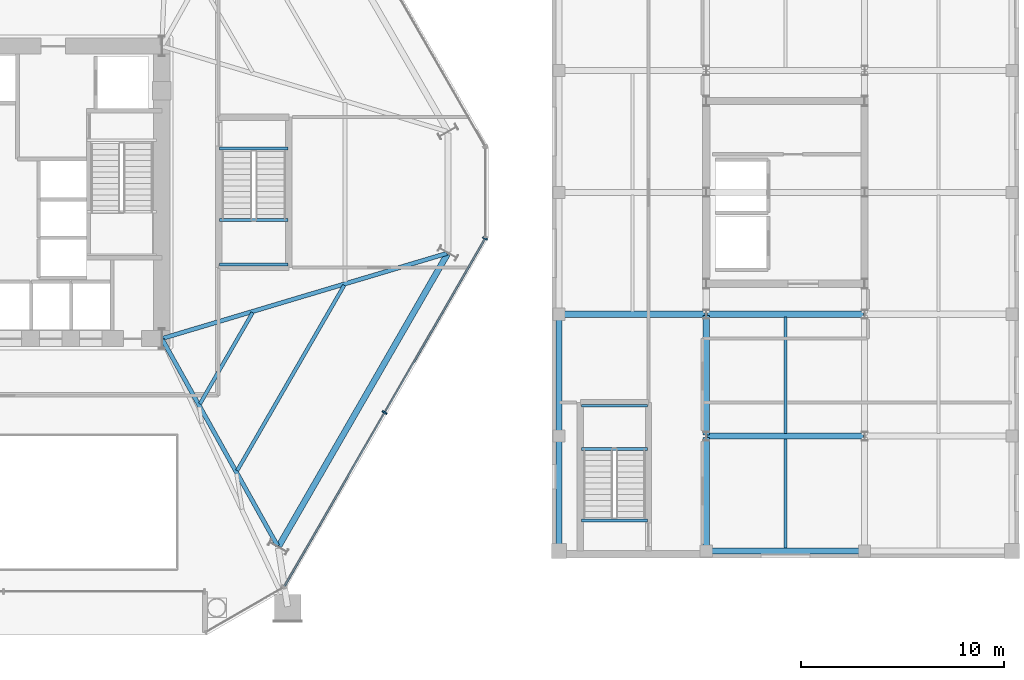
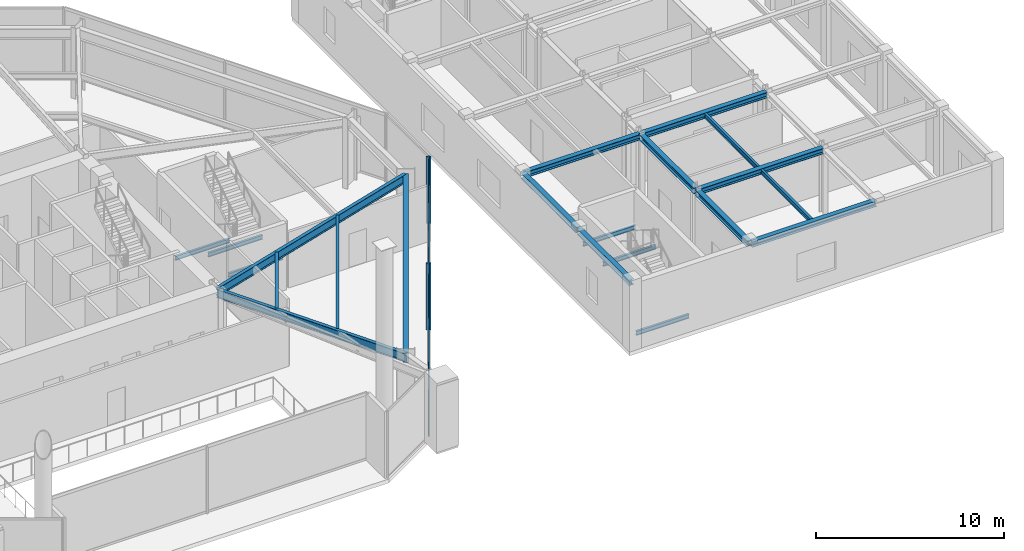
# One storey, part 9 of 22: 21 beams, 6 members, 1 element without a shape of its own.
"""IFC4 building model written with IfcOpenShell, lengths in metres."""

import ifcopenshell
import ifcopenshell.guid

model = None  # the IFC model being written
_history = None  # IfcOwnerHistory: only IFC2X3 demands one
_inside = {}  # id of a spatial element -> (the spatial element, [elements in it])
_under = {}  # id of a project, library or spatial element -> (it, [spatial elements below it])
_declared = {}  # id of a project -> (the project, [libraries it declares])
_typed = {}  # id of a type object -> (the type object, [elements of that type])
_made_of = {}  # id of a material, layer set ... -> (it, [elements and type objects made of it])


def new_model(schema):
    """Start an empty IFC model of exactly this schema.

    Asked for "IFC4X3", IfcOpenShell would pick the latest addendum, in which some entities
    have other attributes; the version numbers below select the first issue.
    IFC2X3 requires an IfcOwnerHistory on every rooted entity: one is made here for all.
    """
    global model, _history
    if schema == "IFC4X3":
        model = ifcopenshell.file(schema_version=(4, 3, 0, 0))
    else:
        model = ifcopenshell.file(schema=schema)
    _inside.clear()
    _under.clear()
    _declared.clear()
    _typed.clear()
    _made_of.clear()
    _history = None
    if model.schema == "IFC2X3":
        org = make("IfcOrganization", Name="unknown")
        user = make(
            "IfcPersonAndOrganization",
            ThePerson=make("IfcPerson", FamilyName="unknown"),
            TheOrganization=org,
        )
        app = make(
            "IfcApplication",
            ApplicationDeveloper=org,
            Version="unknown",
            ApplicationFullName="unknown",
            ApplicationIdentifier="unknown",
        )
        _history = make(
            "IfcOwnerHistory",
            OwningUser=user,
            OwningApplication=app,
            ChangeAction="ADDED",
            CreationDate=0,
        )
    return model


def make(cls, **values):
    """One entity of the class cls with the attributes given. An attribute that is None is left unset."""
    return model.create_entity(
        cls, **{name: value for name, value in values.items() if value is not None}
    )


def rooted(cls, **values):
    """An entity with a GlobalId (a new one), such as an element, a storey or a relation."""
    return make(cls, GlobalId=ifcopenshell.guid.new(), OwnerHistory=_history, **values)


def si_unit(unit_type, name, prefix=None):
    """IfcSIUnit, for example si_unit("LENGTHUNIT", "METRE", prefix="MILLI")."""
    return make("IfcSIUnit", UnitType=unit_type, Prefix=prefix, Name=name)


def assignment(units):
    """IfcUnitAssignment: the units of a project."""
    return None if units is None else make("IfcUnitAssignment", Units=units)


def point(xyz):
    """IfcCartesianPoint."""
    return None if xyz is None else make("IfcCartesianPoint", Coordinates=xyz)


def direction(xyz):
    """IfcDirection."""
    return None if xyz is None else make("IfcDirection", DirectionRatios=xyz)


def frame(location, z_axis=None, x_axis=None):
    """IfcAxis2Placement3D, a coordinate frame: its origin and axes. An axis left out is left unset."""
    return make(
        "IfcAxis2Placement3D",
        Location=point(location),
        Axis=direction(z_axis),
        RefDirection=direction(x_axis),
    )


def frame_2d(location, x_axis=None):
    """IfcAxis2Placement2D, a coordinate frame in the plane: its origin and x axis."""
    return make(
        "IfcAxis2Placement2D", Location=point(location), RefDirection=direction(x_axis)
    )


def origin():
    """The frame at (0, 0, 0) with its axes left unset."""
    return frame((0.0, 0.0, 0.0))


def origin_2d():
    """The frame at (0, 0) in the plane with its x axis left unset."""
    return frame_2d((0.0, 0.0))


def place(relative_to, where):
    """IfcLocalPlacement: puts the frame where relative to a parent placement (None: the world)."""
    return make(
        "IfcLocalPlacement", PlacementRelTo=relative_to, RelativePlacement=where
    )


def context(
    kind, dimensions, precision=None, world=None, true_north=None, identifier=None
):
    """IfcGeometricRepresentationContext, for example the 3D "Model" context."""
    return make(
        "IfcGeometricRepresentationContext",
        ContextIdentifier=identifier,
        ContextType=kind,
        CoordinateSpaceDimension=dimensions,
        Precision=precision,
        WorldCoordinateSystem=world,
        TrueNorth=true_north,
    )


def subcontext(parent, identifier, kind, view, scale=None):
    """IfcGeometricRepresentationSubContext, for example "Body" below "Model"."""
    return make(
        "IfcGeometricRepresentationSubContext",
        ContextIdentifier=identifier,
        ContextType=kind,
        ParentContext=parent,
        TargetScale=scale,
        TargetView=view,
    )


def project(units=None, contexts=None):
    """IfcProject with its units and contexts."""
    return rooted(
        "IfcProject",
        Name="project",
        RepresentationContexts=contexts,
        UnitsInContext=assignment(units),
    )


def spatial(cls, under=None, at=None, **own):
    """A site, building, storey or space (cls), placed at a placement, below another one or the project."""
    s = rooted(cls, ObjectPlacement=at, **own)
    if under is not None:
        _under.setdefault(under.id(), (under, []))[1].append(s)
    return s


def profile(cls, at=None, kind="AREA", **sizes):
    """A parametric profile (cls). Its sizes go by their IFC names, for example OverallWidth=200.0."""
    return make(cls, ProfileType=kind, Position=at, **sizes)


def rectangle(**sizes):
    """IfcRectangleProfileDef."""
    return profile("IfcRectangleProfileDef", **sizes)


def i_section(**sizes):
    """IfcIShapeProfileDef."""
    return profile("IfcIShapeProfileDef", **sizes)


def extrude(swept, where, along, depth):
    """IfcExtrudedAreaSolid: the profile swept, set in the frame where, extruded along a direction by depth."""
    return make(
        "IfcExtrudedAreaSolid",
        SweptArea=swept,
        Position=where,
        ExtrudedDirection=direction(along),
        Depth=depth,
    )


def shape(context_of_items, identifier, shape_type, items):
    """IfcShapeRepresentation: the items that make up one representation, for example the "Body"."""
    return make(
        "IfcShapeRepresentation",
        ContextOfItems=context_of_items,
        RepresentationIdentifier=identifier,
        RepresentationType=shape_type,
        Items=items,
    )


def material(Name=None, Category=None):
    """IfcMaterial."""
    return make("IfcMaterial", Name=Name, Category=Category)


def layer(
    of_material, thickness, ventilated=None, Name=None, Category=None, Priority=None
):
    """IfcMaterialLayer: one layer of a wall or slab, of a material (None: an air gap)."""
    return make(
        "IfcMaterialLayer",
        Material=of_material,
        LayerThickness=thickness,
        IsVentilated=ventilated,
        Name=Name,
        Category=Category,
        Priority=Priority,
    )


def layer_set(layers, Name=None):
    """IfcMaterialLayerSet."""
    return make("IfcMaterialLayerSet", MaterialLayers=layers, LayerSetName=Name)


def material_profile(
    of_material, cross_section, Name=None, Category=None, Priority=None
):
    """IfcMaterialProfile: a cross section and its material."""
    return make(
        "IfcMaterialProfile",
        Name=Name,
        Material=of_material,
        Profile=cross_section,
        Priority=Priority,
        Category=Category,
    )


def profile_set(profiles, Name=None, composite=None):
    """IfcMaterialProfileSet."""
    return make(
        "IfcMaterialProfileSet",
        Name=Name,
        MaterialProfiles=profiles,
        CompositeProfile=composite,
    )


def made_of(thing, what):
    """Note that an element or type object is made of a material, layer set ...; save() writes the relation."""
    if what is not None:
        _made_of.setdefault(what.id(), (what, []))[1].append(thing)
    return thing


def type_object(cls, material=None, **own):
    """A type object (cls), such as IfcWallType, which elements share."""
    return made_of(rooted(cls, **own), material)


def element(
    cls,
    number,
    at=None,
    inside=None,
    cuts=None,
    type_object=None,
    material=None,
    context=None,
    identifier="Body",
    shape_type=None,
    held_by="IfcProductDefinitionShape",
    body=None,
    shapes=None,
    **own,
):
    """One element of the class cls, such as IfcWall. Its Tag is "e" and its number.

    at: its placement. inside: the storey or other place that contains it. cuts: it is an
    opening in that element (IfcRelVoidsElement). A single representation is given by context,
    identifier, shape_type and body (its items); several are given by shapes. held_by: the class
    of the entity that holds the representations. save() writes the other relations.
    """
    e = rooted(cls, Tag="e%d" % number, ObjectPlacement=at, **own)
    if body is not None:
        shapes = [shape(context, identifier, shape_type, body)]
    if shapes is not None:
        e.Representation = make(held_by, Representations=shapes)
    if inside is not None:
        _inside.setdefault(inside.id(), (inside, []))[1].append(e)
    if cuts is not None:
        rooted(
            "IfcRelVoidsElement", RelatingBuildingElement=cuts, RelatedOpeningElement=e
        )
    if type_object is not None:
        _typed.setdefault(type_object.id(), (type_object, []))[1].append(e)
    return made_of(e, material)


def aggregate(whole, parts):
    """IfcRelAggregates: a whole, such as a stair, and the parts it consists of."""
    return rooted("IfcRelAggregates", RelatingObject=whole, RelatedObjects=parts)


def save(model, path):
    """Write the relations noted so far, then the file.

    IfcRelAggregates (storeys below a building ...), IfcRelContainedInSpatialStructure (elements
    in a storey), IfcRelDefinesByType, IfcRelAssociatesMaterial and IfcRelDeclares: one each for
    every whole, place, type object, material and project.
    """
    for whole, parts in _under.values():
        aggregate(whole, parts)
    for where, things in _inside.values():
        rooted(
            "IfcRelContainedInSpatialStructure",
            RelatedElements=things,
            RelatingStructure=where,
        )
    for kind, things in _typed.values():
        rooted("IfcRelDefinesByType", RelatedObjects=things, RelatingType=kind)
    for what, things in _made_of.values():
        rooted("IfcRelAssociatesMaterial", RelatedObjects=things, RelatingMaterial=what)
    for by, libraries in _declared.values():
        rooted("IfcRelDeclares", RelatingContext=by, RelatedDefinitions=libraries)
    model.write(path)


model = new_model("IFC4")

# Units and contexts
model_context = context("Model", 3, precision=1e-05, world=origin(), true_north=direction((0.0, 1.0)))
body_context = subcontext(model_context, "Body", "Model", "MODEL_VIEW")
ifc_project = project(units=[si_unit("LENGTHUNIT", "METRE"), si_unit("AREAUNIT", "SQUARE_METRE"), si_unit("VOLUMEUNIT", "CUBIC_METRE"), si_unit("PLANEANGLEUNIT", "RADIAN"), si_unit("MASSUNIT", "GRAM", prefix="KILO")], contexts=[model_context])

# Site, building, storey
site_placement = place(None, origin())
site = spatial("IfcSite", under=ifc_project, at=site_placement, CompositionType="ELEMENT")
building_placement = place(site_placement, origin())
building = spatial("IfcBuilding", under=site, at=building_placement, Name="Kranzbogen Civic Tower", CompositionType="ELEMENT")
storey_placement = place(building_placement, frame((0.0, 0.0, 5.199951171875)))
storey = spatial("IfcBuildingStorey", under=building, at=storey_placement, Name="L01", CompositionType="ELEMENT", Elevation=5.199951171875)

# Curtain wall, members
ifc_material_1 = material(Name="Pale Anodised Aluminium", Category="aluminium")
ifc_layer = layer(ifc_material_1, 0.219970703125, Name="Pale Anodised Aluminium")
ifc_layer_set = layer_set([ifc_layer], Name="Pale Anodised Aluminium")
curtain_wall_type = type_object("IfcCurtainWallType", Name="Podium Stick Curtain Wall System CW-01", PredefinedType="USERDEFINED", material=ifc_layer_set)
curtain_wall_placement = place(storey_placement, origin())
curtain_wall = element("IfcCurtainWall", 1, at=curtain_wall_placement, inside=storey, type_object=curtain_wall_type, Name="L01 curtain wall CW-L01-F6", ObjectType="STICK CURTAIN WALL", PredefinedType="USERDEFINED")
ifc_material_profile_1 = material_profile(ifc_material_1, rectangle(XDim=0.0849609375, YDim=0.260009765625, at=origin_2d()), Name="ALU-M 85x260")
ifc_profile_set_1 = profile_set([ifc_material_profile_1], Name="Pale Anodised Aluminium")
member_type_1 = type_object("IfcMemberType", Name="Curtain Wall Mullion ALU-M 85x260", PredefinedType="MULLION", material=ifc_profile_set_1)
member_1_placement = place(storey_placement, frame((43.76904296875, 14.16357421875, 0.0), z_axis=(0.0, 0.0, 1.0), x_axis=(0.500005767433, 0.86602207393, 0.0)))
member_1 = element("IfcMember", 2, at=member_1_placement, type_object=member_type_1, Name="CW-01 mullion 2", PredefinedType="MULLION", context=body_context, shape_type="SweptSolid", body=[
    extrude(rectangle(XDim=0.0849609375, YDim=0.260009765625, at=origin_2d()), origin(), (0.0, 0.0, 1.0), 4.340087890625),
])
member_2_placement = place(storey_placement, frame((48.718994140625, 22.737060546875, 0.0), z_axis=(0.0, 0.0, 1.0), x_axis=(0.500005767433, 0.86602207393, 0.0)))
member_2 = element("IfcMember", 3, at=member_2_placement, type_object=member_type_1, Name="CW-01 mullion 3", PredefinedType="MULLION", context=body_context, shape_type="SweptSolid", body=[
    extrude(rectangle(XDim=0.0849609375, YDim=0.260009765625, at=origin_2d()), origin(), (0.0, 0.0, 1.0), 4.340087890625),
])
ifc_material_profile_2 = material_profile(ifc_material_1, rectangle(XDim=0.0849609375, YDim=0.195068359375, at=origin_2d()), Name="ALU-T 85x195")
ifc_profile_set_2 = profile_set([ifc_material_profile_2], Name="Pale Anodised Aluminium")
member_type_2 = type_object("IfcMemberType", Name="Curtain Wall Transom ALU-T 85x195", PredefinedType="USERDEFINED", material=ifc_profile_set_2)
member_3_placement = place(storey_placement, frame((38.833984375, 5.615966796875, 0.030029296875), z_axis=(0.500003092839, 0.866023618125, 0.0), x_axis=(-0.866023618125, 0.500003092839, 0.0)))
member_3 = element("IfcMember", 4, at=member_3_placement, type_object=member_type_2, Name="CW-01 transom 1.1", ObjectType="TRANSOM", PredefinedType="USERDEFINED", context=body_context, shape_type="SweptSolid", body=[
    extrude(rectangle(XDim=0.0849609375, YDim=0.195068359375, at=origin_2d()), origin(), (0.0, 0.0, 1.0), 9.83984375),
])
member_4_placement = place(storey_placement, frame((38.833984375, 5.615966796875, 4.31005859375), z_axis=(0.500003092839, 0.866023618125, 0.0), x_axis=(-0.866023618125, 0.500003092839, 0.0)))
member_4 = element("IfcMember", 5, at=member_4_placement, type_object=member_type_2, Name="CW-01 transom 1.2", ObjectType="TRANSOM", PredefinedType="USERDEFINED", context=body_context, shape_type="SweptSolid", body=[
    extrude(rectangle(XDim=0.0849609375, YDim=0.195068359375, at=origin_2d()), origin(), (0.0, 0.0, 1.0), 9.83984375),
])
member_5_placement = place(storey_placement, frame((43.783935546875, 14.189453125, 0.030029296875), z_axis=(0.500021701106, 0.866012874282, 0.0), x_axis=(-0.866012874282, 0.500021701106, 0.0)))
member_5 = element("IfcMember", 6, at=member_5_placement, type_object=member_type_2, Name="CW-01 transom 2.1", ObjectType="TRANSOM", PredefinedType="USERDEFINED", context=body_context, shape_type="SweptSolid", body=[
    extrude(rectangle(XDim=0.0849609375, YDim=0.195068359375, at=origin_2d()), origin(), (0.0, 0.0, 1.0), 9.83984375),
])
member_6_placement = place(storey_placement, frame((43.783935546875, 14.189453125, 4.31005859375), z_axis=(0.500021701106, 0.866012874282, 0.0), x_axis=(-0.866012874282, 0.500021701106, 0.0)))
member_6 = element("IfcMember", 7, at=member_6_placement, type_object=member_type_2, Name="CW-01 transom 2.2", ObjectType="TRANSOM", PredefinedType="USERDEFINED", context=body_context, shape_type="SweptSolid", body=[
    extrude(rectangle(XDim=0.0849609375, YDim=0.195068359375, at=origin_2d()), origin(), (0.0, 0.0, 1.0), 9.83984375),
])
aggregate(curtain_wall, [member_1, member_2, member_3, member_4, member_5, member_6])

# Beams
ifc_material_2 = material(Name="Steel S355", Category="steel")
ifc_material_profile_3 = material_profile(ifc_material_2, i_section(OverallWidth=0.300048828125, OverallDepth=0.360107421875, WebThickness=0.012451171875, FlangeThickness=0.0224609375, at=origin_2d()), Name="HEB 360")
ifc_profile_set_3 = profile_set([ifc_material_profile_3], Name="Steel S355")
beam_type_1 = type_object("IfcBeamType", Name="Health Centre Primary Floor Beam HEB 360", PredefinedType="BEAM", material=ifc_profile_set_3)
for number, where, z_axis, x_axis, name in (
    (8, (59.659912109375, 7.35009765625, 4.16015625), (1.0, 0.0, 0.0), (0.0, 1.0, 0.0), "L01 Health Centre X girder 2-1"),
    (9, (59.659912109375, 13.0, 4.16015625), (1.0, 0.0, 0.0), (0.0, 1.0, 0.0), "L01 Health Centre X girder 2-2"),
):
    element("IfcBeam", number, at=place(storey_placement, frame(where, z_axis=z_axis, x_axis=x_axis)), inside=storey, type_object=beam_type_1, Name=name, PredefinedType="BEAM", context=body_context, shape_type="SweptSolid", body=[
        extrude(i_section(OverallWidth=0.300048828125, OverallDepth=0.360107421875, WebThickness=0.012451171875, FlangeThickness=0.0224609375, at=origin_2d()), origin(), (0.0, 0.0, 1.0), 7.68017578125),
    ])
beam_1_placement = place(storey_placement, frame((52.409912109375, 19.0, 4.16015625), z_axis=(1.0, 0.0, 0.0), x_axis=(0.0, 1.0, 0.0)))
element("IfcBeam", 10, at=beam_1_placement, inside=storey, type_object=beam_type_1, Name="L01 Health Centre X girder 1-3", PredefinedType="BEAM", context=body_context, shape_type="SweptSolid", body=[
    extrude(i_section(OverallWidth=0.300048828125, OverallDepth=0.360107421875, WebThickness=0.012451171875, FlangeThickness=0.0224609375, at=origin_2d()), origin(), (0.0, 0.0, 1.0), 7.130126953125),
])
beam_2_placement = place(storey_placement, frame((59.659912109375, 19.0, 4.16015625), z_axis=(1.0, 0.0, 0.0), x_axis=(0.0, 1.0, 0.0)))
element("IfcBeam", 11, at=beam_2_placement, inside=storey, type_object=beam_type_1, Name="L01 Health Centre X girder 2-3", PredefinedType="BEAM", context=body_context, shape_type="SweptSolid", body=[
    extrude(i_section(OverallWidth=0.300048828125, OverallDepth=0.360107421875, WebThickness=0.012451171875, FlangeThickness=0.0224609375, at=origin_2d()), origin(), (0.0, 0.0, 1.0), 7.68017578125),
])
for number, where, z_axis, x_axis, name in (
    (12, (52.35009765625, 7.409912109375, 4.16015625), (0.0, 1.0, 0.0), (-1.0, 0.0, 0.0), "L01 Health Centre Y girder 1-1"),
    (13, (59.60009765625, 7.409912109375, 4.16015625), (0.0, 1.0, 0.0), (-1.0, 0.0, 0.0), "L01 Health Centre Y girder 2-1"),
):
    element("IfcBeam", number, at=place(storey_placement, frame(where, z_axis=z_axis, x_axis=x_axis)), inside=storey, type_object=beam_type_1, Name=name, PredefinedType="BEAM", context=body_context, shape_type="SweptSolid", body=[
        extrude(i_section(OverallWidth=0.300048828125, OverallDepth=0.360107421875, WebThickness=0.012451171875, FlangeThickness=0.0224609375, at=origin_2d()), origin(), (0.0, 0.0, 1.0), 5.530029296875),
    ])
for number, where, z_axis, x_axis, name in (
    (14, (52.35009765625, 13.06005859375, 4.16015625), (0.0, 1.0, 0.0), (-1.0, 0.0, 0.0), "L01 Health Centre Y girder 1-2"),
    (15, (59.60009765625, 13.06005859375, 4.16015625), (0.0, 1.0, 0.0), (-1.0, 0.0, 0.0), "L01 Health Centre Y girder 2-2"),
):
    element("IfcBeam", number, at=place(storey_placement, frame(where, z_axis=z_axis, x_axis=x_axis)), inside=storey, type_object=beam_type_1, Name=name, PredefinedType="BEAM", context=body_context, shape_type="SweptSolid", body=[
        extrude(i_section(OverallWidth=0.300048828125, OverallDepth=0.360107421875, WebThickness=0.012451171875, FlangeThickness=0.0224609375, at=origin_2d()), origin(), (0.0, 0.0, 1.0), 5.8798828125),
    ])
ifc_material_profile_4 = material_profile(ifc_material_2, i_section(OverallWidth=0.14990234375, OverallDepth=0.300048828125, WebThickness=0.007080078125, FlangeThickness=0.0107421875, at=origin_2d()), Name="IPE 300")
ifc_profile_set_4 = profile_set([ifc_material_profile_4], Name="Steel S355")
beam_type_2 = type_object("IfcBeamType", Name="Health Centre Secondary Joist IPE 300", PredefinedType="JOIST", material=ifc_profile_set_4)
beam_3_placement = place(storey_placement, frame((63.5, 7.489990234375, 4.18994140625), z_axis=(0.0, 1.0, 0.0), x_axis=(-1.0, 0.0, 0.0)))
element("IfcBeam", 16, at=beam_3_placement, inside=storey, type_object=beam_type_2, Name="L01 Health Centre secondary joist 2-1", PredefinedType="JOIST", context=body_context, shape_type="SweptSolid", body=[
    extrude(i_section(OverallWidth=0.14990234375, OverallDepth=0.300048828125, WebThickness=0.007080078125, FlangeThickness=0.0107421875, at=origin_2d()), origin(), (0.0, 0.0, 1.0), 5.3701171875),
])
beam_4_placement = place(storey_placement, frame((63.5, 13.139892578125, 4.18994140625), z_axis=(0.0, 1.0, 0.0), x_axis=(-1.0, 0.0, 0.0)))
element("IfcBeam", 17, at=beam_4_placement, inside=storey, type_object=beam_type_2, Name="L01 Health Centre secondary joist 2-2", PredefinedType="JOIST", context=body_context, shape_type="SweptSolid", body=[
    extrude(i_section(OverallWidth=0.14990234375, OverallDepth=0.300048828125, WebThickness=0.007080078125, FlangeThickness=0.0107421875, at=origin_2d()), origin(), (0.0, 0.0, 1.0), 5.72021484375),
])
ifc_material_profile_5 = material_profile(ifc_material_2, i_section(OverallWidth=0.300048828125, OverallDepth=0.699951171875, WebThickness=0.01708984375, FlangeThickness=0.031982421875, at=origin_2d()), Name="HEB 700")
ifc_profile_set_5 = profile_set([ifc_material_profile_5], Name="Steel S355")
beam_type_3 = type_object("IfcBeamType", Name="Perimeter Tube Spandrel Beam HEB 700", PredefinedType="SPANDREL", material=ifc_profile_set_5)
beam_5_placement = place(storey_placement, frame((38.56103515625, 7.587890625, 3.989990234375), z_axis=(0.500010210561, 0.866019508634, 0.0), x_axis=(-0.866019508634, 0.500010210561, 0.0)))
element("IfcBeam", 18, at=beam_5_placement, inside=storey, type_object=beam_type_3, Name="L01 perimeter spandrel beam 05", PredefinedType="SPANDREL", context=body_context, shape_type="SweptSolid", body=[
    extrude(i_section(OverallWidth=0.300048828125, OverallDepth=0.699951171875, WebThickness=0.01708984375, FlangeThickness=0.031982421875, at=origin_2d()), origin(), (0.0, 0.0, 1.0), 16.597900390625),
])
ifc_material_profile_6 = material_profile(ifc_material_2, i_section(OverallWidth=0.2099609375, OverallDepth=0.550048828125, WebThickness=0.010986328125, FlangeThickness=0.01708984375, at=origin_2d()), Name="IPE 550")
ifc_profile_set_6 = profile_set([ifc_material_profile_6], Name="Steel S355")
beam_type_4 = type_object("IfcBeamType", Name="Radial Tower Floor Girder IPE 550", PredefinedType="BEAM", material=ifc_profile_set_6)
beam_6_placement = place(storey_placement, frame((38.501953125, 7.587890625, 4.06494140625), z_axis=(-0.487501570266, 0.87312211001, 0.0), x_axis=(-0.87312211001, -0.487501570266, 0.0)))
element("IfcBeam", 19, at=beam_6_placement, inside=storey, type_object=beam_type_4, Name="L01 radial floor girder 05", PredefinedType="BEAM", context=body_context, shape_type="SweptSolid", body=[
    extrude(i_section(OverallWidth=0.2099609375, OverallDepth=0.550048828125, WebThickness=0.010986328125, FlangeThickness=0.01708984375, at=origin_2d()), origin(), (0.0, 0.0, 1.0), 11.636474609375),
])
beam_7_placement = place(storey_placement, frame((46.8330078125, 21.9970703125, 4.06494140625), z_axis=(-0.958064557048, -0.286552446385, 0.0), x_axis=(0.286552446385, -0.958064557048, 0.0)))
element("IfcBeam", 20, at=beam_7_placement, inside=storey, type_object=beam_type_4, Name="L01 radial floor girder 06", PredefinedType="BEAM", context=body_context, shape_type="SweptSolid", body=[
    extrude(i_section(OverallWidth=0.2099609375, OverallDepth=0.550048828125, WebThickness=0.010986328125, FlangeThickness=0.01708984375, at=origin_2d()), origin(), (0.0, 0.0, 1.0), 14.587890625),
])
ifc_material_profile_7 = material_profile(ifc_material_2, i_section(OverallWidth=0.179931640625, OverallDepth=0.39990234375, WebThickness=0.008544921875, FlangeThickness=0.013427734375, at=origin_2d()), Name="IPE 400")
ifc_profile_set_7 = profile_set([ifc_material_profile_7], Name="Steel S355")
beam_type_5 = type_object("IfcBeamType", Name="Secondary Composite Floor Joist IPE 400", PredefinedType="JOIST", material=ifc_profile_set_7)
beam_8_placement = place(storey_placement, frame((36.508056640625, 11.300048828125, 4.14013671875), z_axis=(0.500000488781, 0.866025121586, 0.0), x_axis=(-0.866025121586, 0.500000488781, 0.0)))
element("IfcBeam", 21, at=beam_8_placement, inside=storey, type_object=beam_type_5, Name="L01 secondary floor joist 1.05", PredefinedType="JOIST", context=body_context, shape_type="SweptSolid", body=[
    extrude(i_section(OverallWidth=0.179931640625, OverallDepth=0.39990234375, WebThickness=0.008544921875, FlangeThickness=0.013427734375, at=origin_2d()), origin(), (0.0, 0.0, 1.0), 10.5400390625),
])
beam_9_placement = place(storey_placement, frame((34.674072265625, 14.5849609375, 4.14013671875), z_axis=(0.500040090343, 0.866002256377, 0.0), x_axis=(-0.866002256377, 0.500040090343, 0.0)))
element("IfcBeam", 22, at=beam_9_placement, inside=storey, type_object=beam_type_5, Name="L01 secondary floor joist 2.05", PredefinedType="JOIST", context=body_context, shape_type="SweptSolid", body=[
    extrude(i_section(OverallWidth=0.179931640625, OverallDepth=0.39990234375, WebThickness=0.008544921875, FlangeThickness=0.013427734375, at=origin_2d()), origin(), (0.0, 0.0, 1.0), 5.189453125),
])
ifc_material_profile_8 = material_profile(ifc_material_2, i_section(OverallWidth=0.135009765625, OverallDepth=0.27001953125, WebThickness=0.006591796875, FlangeThickness=0.01025390625, at=origin_2d()), Name="IPE 270")
ifc_profile_set_8 = profile_set([ifc_material_profile_8], Name="Steel S355")
beam_type_6 = type_object("IfcBeamType", Name="Stair Landing Support Beam IPE 270", PredefinedType="JOIST", material=ifc_profile_set_8)
for number, where, z_axis, x_axis, name in (
    (23, (35.64990234375, 27.159912109375, -0.39501953125), (1.0, 0.0, 0.0), (0.0, 1.0, 0.0), "L01 ST-P2 stair floor header beam"),
    (24, (35.64990234375, 23.639892578125, 1.965087890625), (1.0, 0.0, 0.0), (0.0, 1.0, 0.0), "L01 ST-P2 landing support beam 1.1"),
    (25, (35.64990234375, 21.449951171875, 1.965087890625), (1.0, 0.0, 0.0), (0.0, 1.0, 0.0), "L01 ST-P2 landing support beam 1.2"),
):
    element("IfcBeam", number, at=place(storey_placement, frame(where, z_axis=z_axis, x_axis=x_axis)), inside=storey, type_object=beam_type_6, Name=name, PredefinedType="JOIST", context=body_context, shape_type="SweptSolid", body=[
        extrude(i_section(OverallWidth=0.135009765625, OverallDepth=0.27001953125, WebThickness=0.006591796875, FlangeThickness=0.01025390625, at=origin_2d()), origin(), (0.0, 0.0, 1.0), 3.35009765625),
    ])
for number, where, z_axis, x_axis, name in (
    (26, (56.699951171875, 8.840087890625, -0.39501953125), (-1.0, 0.0, 0.0), (0.0, -1.0, 0.0), "L01 ST-H1 stair floor header beam"),
    (27, (56.699951171875, 12.360107421875, 1.965087890625), (-1.0, 0.0, 0.0), (0.0, -1.0, 0.0), "L01 ST-H1 landing support beam 1.1"),
    (28, (56.699951171875, 14.5, 1.965087890625), (-1.0, 0.0, 0.0), (0.0, -1.0, 0.0), "L01 ST-H1 landing support beam 1.2"),
):
    element("IfcBeam", number, at=place(storey_placement, frame(where, z_axis=z_axis, x_axis=x_axis)), inside=storey, type_object=beam_type_6, Name=name, PredefinedType="JOIST", context=body_context, shape_type="SweptSolid", body=[
        extrude(i_section(OverallWidth=0.135009765625, OverallDepth=0.27001953125, WebThickness=0.006591796875, FlangeThickness=0.01025390625, at=origin_2d()), origin(), (0.0, 0.0, 1.0), 3.25),
    ])

save(model, "model.ifc")
